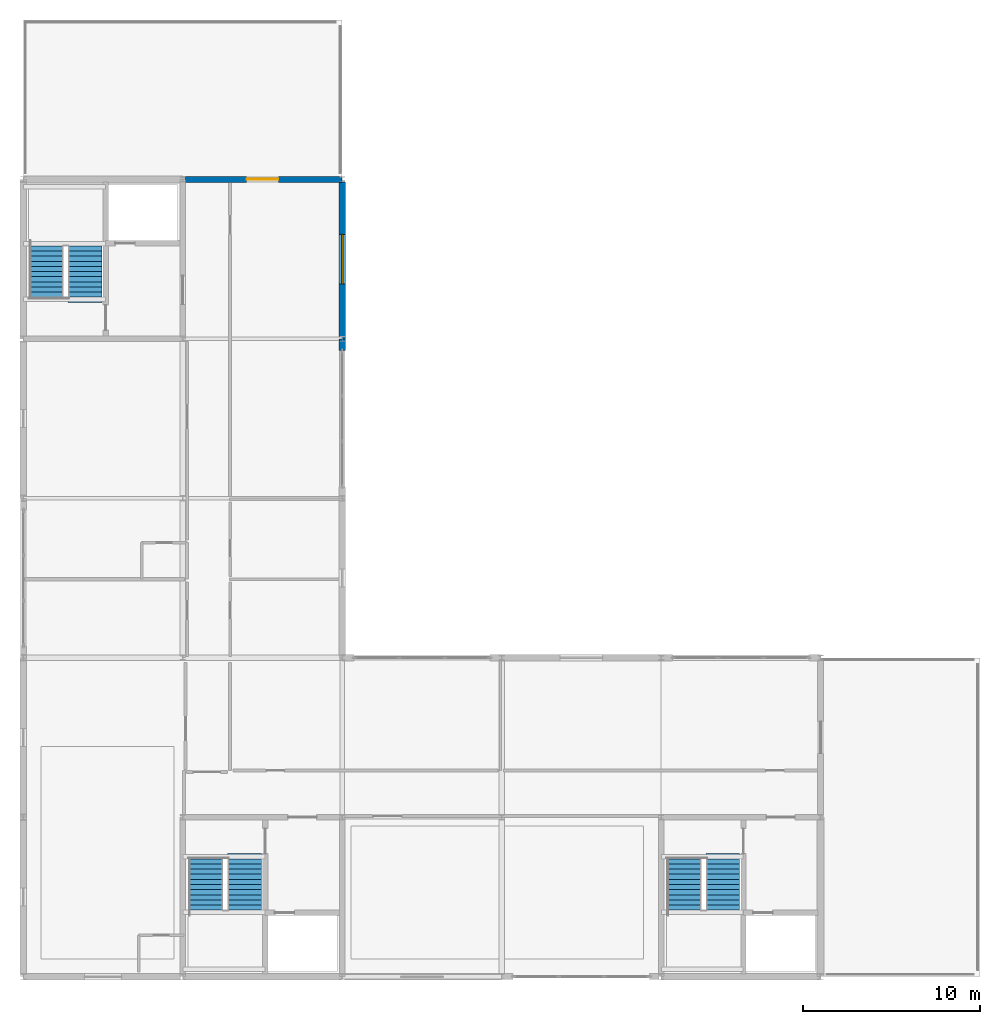
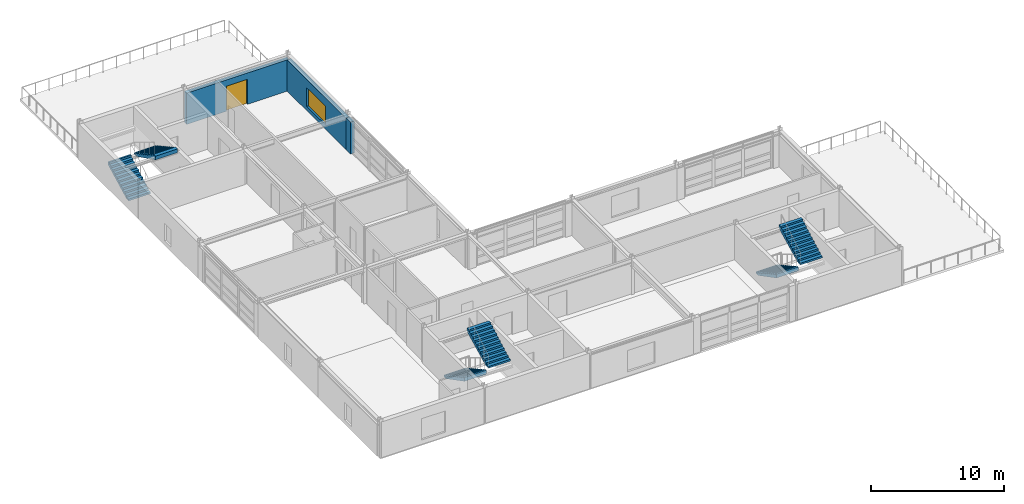
# One storey, part 10 of 11: 6 stair flights, 3 walls, 1 door, 1 window, 2 openings, 3 elements without a shape of their own.
"""IFC4 building model written with IfcOpenShell, lengths in metres."""

from ifc_helpers import new_model, si_unit, direction, frame, frame_2d, origin, place, context, subcontext, project, spatial, polyline, rectangle, outline, extrude, material, layer, layer_set, type_object, element, fill, aggregate, save


model = new_model("IFC4")

# Units and contexts
model_context = context("Model", 3, precision=1e-05, world=origin(), true_north=direction((0.0, 1.0)))
body_context = subcontext(model_context, "Body", "Model", "MODEL_VIEW")
ifc_project = project(units=[si_unit("LENGTHUNIT", "METRE"), si_unit("AREAUNIT", "SQUARE_METRE"), si_unit("VOLUMEUNIT", "CUBIC_METRE"), si_unit("PLANEANGLEUNIT", "RADIAN"), si_unit("MASSUNIT", "GRAM", prefix="KILO")], contexts=[model_context])

# Site, building, storey
site_placement = place(None, origin())
site = spatial("IfcSite", under=ifc_project, at=site_placement, CompositionType="ELEMENT")
building_placement = place(site_placement, origin())
building = spatial("IfcBuilding", under=site, at=building_placement, Name="Palais des Congres Ocreval", CompositionType="ELEMENT")
storey_placement = place(building_placement, frame((0.0, 0.0, 26.8798828125)))
storey = spatial("IfcBuildingStorey", under=building, at=storey_placement, Name="L08", CompositionType="ELEMENT", Elevation=26.8798828125)

# Wall, opening, door
ifc_material_1 = material(Name="Concrete C40/50", Category="concrete")
ifc_layer = layer(ifc_material_1, 0.340087890625)
ifc_layer_set = layer_set([ifc_layer], Name="Ochre Mineral-Lime Courtyard Wall 340 Concrete C40/50")
wall_type = type_object("IfcWallType", Name="Ochre Mineral-Lime Courtyard Wall 340 Concrete C40/50", PredefinedType="SOLIDWALL", material=ifc_layer_set)
wall_1_placement = place(storey_placement, frame((9.1298828125, 45.0, 0.0), z_axis=(0.0, 0.0, 1.0), x_axis=(1.0, 0.0, 0.0)))
wall_1 = element("IfcWall", 1, at=wall_1_placement, inside=storey, type_object=wall_type, Name="Exterior Wall EW04 L08", PredefinedType="SOLIDWALL", context=body_context, shape_type="SweptSolid", body=[
    extrude(rectangle(XDim=8.8701171875, YDim=0.340087890625, at=frame_2d((4.43505859375, 0.0))), origin(), (0.0, 0.0, 1.0), 2.8701171875),
])
opening_1_placement = place(wall_1_placement, frame((3.469970703125, 0.0, 0.0)))
opening_1 = element("IfcOpeningElement", 2, at=opening_1_placement, cuts=wall_1, Name="Opening TD01", PredefinedType="OPENING", context=body_context, shape_type="SweptSolid", body=[
    extrude(rectangle(XDim=1.800048828125, YDim=2.300048828125, at=frame_2d((0.89990234375, 1.14990234375))), frame((0.0, 0.179931640625, 0.0), z_axis=(0.0, -1.0, 0.0), x_axis=(1.0, 0.0, 0.0)), (0.0, 0.0, 1.0), 0.360107421875),
])
ifc_material_2 = material(Name="Anodized bronze aluminium and safety glass", Category="aluminium")
door_type = type_object("IfcDoorType", Name="Glazed Terrace Double Door 1800x2300", OperationType="NOTDEFINED", PredefinedType="DOOR", material=ifc_material_2)
door_placement = place(opening_1_placement, origin())
door = element("IfcDoor", 3, at=door_placement, inside=storey, type_object=door_type, Name="Terrace Access Door Presidential Belvedere Terrace", OperationType="DOUBLE_DOOR_SINGLE_SWING", OverallHeight=2.300048828125, OverallWidth=1.800048828125, PredefinedType="DOOR", context=body_context, shape_type="SweptSolid", body=[
    extrude(rectangle(XDim=1.800048828125, YDim=2.300048828125, at=frame_2d((0.89990234375, 1.14990234375))), frame((0.0, 0.02490234375, 0.0), z_axis=(0.0, -1.0, 0.0), x_axis=(1.0, 0.0, 0.0)), (0.0, 0.0, 1.0), 0.050048828125),
])
fill(opening_1, door)

# Wall, opening, window
wall_2_placement = place(storey_placement, frame((18.0, 44.844970703125, 0.0), z_axis=(0.0, 0.0, 1.0), x_axis=(0.0, -1.0, 0.0)))
wall_2 = element("IfcWall", 4, at=wall_2_placement, inside=storey, type_object=wall_type, Name="Exterior Wall EW04 L08", PredefinedType="SOLIDWALL", context=body_context, shape_type="SweptSolid", body=[
    extrude(rectangle(XDim=8.844970703125, YDim=0.340087890625, at=frame_2d((4.42236328125, 0.0))), origin(), (0.0, 0.0, 1.0), 2.8701171875),
])
opening_2_placement = place(wall_2_placement, frame((2.945068359375, 0.0, 0.39990234375)))
opening_2 = element("IfcOpeningElement", 5, at=opening_2_placement, cuts=wall_2, Name="Opening WN14", PredefinedType="OPENING", context=body_context, shape_type="SweptSolid", body=[
    extrude(rectangle(XDim=2.800048828125, YDim=1.699951171875, at=frame_2d((1.39990234375, 0.85009765625))), frame((0.0, 0.179931640625, 0.0), z_axis=(0.0, -1.0, 0.0), x_axis=(1.0, 0.0, 0.0)), (0.0, 0.0, 1.0), 0.360107421875),
])
ifc_material_3 = material(Name="Anodized bronze aluminium and low-E glass", Category="glass")
window_type = type_object("IfcWindowType", Name="Boardroom Ribbon Window 2800x1700", PartitioningType="SINGLE_PANEL", PredefinedType="WINDOW", material=ifc_material_3)
window_placement = place(opening_2_placement, origin())
window = element("IfcWindow", 6, at=window_placement, inside=storey, type_object=window_type, Name="Facade Window WN14", OverallHeight=1.699951171875, OverallWidth=2.800048828125, PartitioningType="SINGLE_PANEL", PredefinedType="WINDOW", context=body_context, shape_type="SweptSolid", body=[
    extrude(rectangle(XDim=2.800048828125, YDim=1.699951171875, at=frame_2d((1.39990234375, 0.85009765625))), frame((0.0, 0.030029296875, 0.0), z_axis=(0.0, -1.0, 0.0), x_axis=(1.0, 0.0, 0.0)), (0.0, 0.0, 1.0), 0.06005859375),
])
fill(opening_2, window)

# Wall
wall_3_placement = place(storey_placement, frame((18.0, 36.0, 0.0), z_axis=(0.0, 0.0, 1.0), x_axis=(0.0, -1.0, 0.0)))
element("IfcWall", 7, at=wall_3_placement, inside=storey, type_object=wall_type, Name="Facade Pier EW04 L08", PredefinedType="SOLIDWALL", context=body_context, shape_type="SweptSolid", body=[
    extrude(rectangle(XDim=0.64990234375, YDim=0.340087890625, at=frame_2d((0.324951171875, 0.0))), origin(), (0.0, 0.0, 1.0), 2.91015625),
])

# Stair, stair flights
stair_type = type_object("IfcStairType", Name="Crown Core Stair L08 1900 Concrete C40/50", PredefinedType="HALF_TURN_STAIR", material=ifc_material_1)
stair_1_placement = place(storey_placement, origin())
stair_1 = element("IfcStair", 8, at=stair_1_placement, inside=storey, type_object=stair_type, Name="Protected Core Stair ST01 L08", PredefinedType="HALF_TURN_STAIR")
stair_flight_type = type_object("IfcStairFlightType", Name="Core Stair Flight 14R x 160/290 W1900 Concrete C40/50", PredefinedType="STRAIGHT", material=ifc_material_1)
stair_flight_1_placement = place(storey_placement, frame((10.320068359375, 6.64990234375, 0.0), z_axis=(0.0, 0.0, 1.0), x_axis=(0.0, -1.0, 0.0)))
stair_flight_1 = element("IfcStairFlight", 9, at=stair_flight_1_placement, type_object=stair_flight_type, Name="Stair ST01 L08 Flight 1", NumberOfRisers=11, NumberOfTreads=10, PredefinedType="STRAIGHT", RiserHeight=0.16, TreadLength=0.29, context=body_context, shape_type="SweptSolid", body=[
    extrude(outline(polyline([(-0.006103515625, 0.0), (-0.006103515625, 0.080078125), (0.0, 0.159912109375), (0.2900390625, 0.159912109375), (0.2900390625, 0.320068359375), (0.580078125, 0.320068359375), (0.580078125, 0.47998046875), (0.8701171875, 0.47998046875), (0.8701171875, 0.639892578125), (1.159912109375, 0.639892578125), (1.159912109375, 0.800048828125), (1.449951171875, 0.800048828125), (1.449951171875, 0.9599609375), (1.739990234375, 0.9599609375), (1.739990234375, 1.1201171875), (2.030029296875, 1.1201171875), (2.030029296875, 1.280029296875), (2.320068359375, 1.280029296875), (2.320068359375, 1.43994140625), (2.610107421875, 1.43994140625), (2.610107421875, 1.60009765625), (2.89990234375, 1.60009765625), (2.89990234375, 1.760009765625), (3.06005859375, 1.760009765625), (3.06005859375, 1.41748046875), (0.3310546875, 0.0), (-0.006103515625, 0.0)])), frame((0.0, 0.949951171875, 0.0), z_axis=(0.0, -1.0, 0.0), x_axis=(1.0, 0.0, 0.0)), (0.0, 0.0, 1.0), 1.89990234375),
])
stair_flight_2_placement = place(storey_placement, frame((12.47998046875, 3.75, 1.760009765625), z_axis=(0.0, 0.0, 1.0), x_axis=(0.0, 1.0, 0.0)))
stair_flight_2 = element("IfcStairFlight", 10, at=stair_flight_2_placement, type_object=stair_flight_type, Name="Stair ST01 L08 Flight 2", NumberOfRisers=11, NumberOfTreads=10, PredefinedType="STRAIGHT", RiserHeight=0.16, TreadLength=0.29, context=body_context, shape_type="SweptSolid", body=[
    extrude(outline(polyline([(-0.006103515625, 0.0), (-0.006103515625, 0.080078125), (0.0, 0.159912109375), (0.2900390625, 0.159912109375), (0.2900390625, 0.320068359375), (0.580078125, 0.320068359375), (0.580078125, 0.47998046875), (0.8701171875, 0.47998046875), (0.8701171875, 0.639892578125), (1.159912109375, 0.639892578125), (1.159912109375, 0.800048828125), (1.449951171875, 0.800048828125), (1.449951171875, 0.9599609375), (1.739990234375, 0.9599609375), (1.739990234375, 1.1201171875), (2.030029296875, 1.1201171875), (2.030029296875, 1.280029296875), (2.320068359375, 1.280029296875), (2.320068359375, 1.43994140625), (2.610107421875, 1.43994140625), (2.610107421875, 1.60009765625), (2.89990234375, 1.60009765625), (2.89990234375, 1.760009765625), (3.18994140625, 1.760009765625), (3.18994140625, 1.41748046875), (0.3310546875, 0.0), (-0.006103515625, 0.0)])), frame((0.0, 0.949951171875, 0.0), z_axis=(0.0, -1.0, 0.0), x_axis=(1.0, 0.0, 0.0)), (0.0, 0.0, 1.0), 1.89990234375),
])
aggregate(stair_1, [stair_flight_1, stair_flight_2])

stair_2_placement = place(storey_placement, origin())
stair_2 = element("IfcStair", 11, at=stair_2_placement, inside=storey, type_object=stair_type, Name="Protected Core Stair ST02 L08", PredefinedType="HALF_TURN_STAIR")
stair_flight_3_placement = place(storey_placement, frame((37.320068359375, 6.64990234375, 0.0), z_axis=(0.0, 0.0, 1.0), x_axis=(0.0, -1.0, 0.0)))
stair_flight_3 = element("IfcStairFlight", 12, at=stair_flight_3_placement, type_object=stair_flight_type, Name="Stair ST02 L08 Flight 1", NumberOfRisers=11, NumberOfTreads=10, PredefinedType="STRAIGHT", RiserHeight=0.16, TreadLength=0.29, context=body_context, shape_type="SweptSolid", body=[
    extrude(outline(polyline([(-0.006103515625, 0.0), (-0.006103515625, 0.080078125), (0.0, 0.159912109375), (0.2900390625, 0.159912109375), (0.2900390625, 0.320068359375), (0.580078125, 0.320068359375), (0.580078125, 0.47998046875), (0.8701171875, 0.47998046875), (0.8701171875, 0.639892578125), (1.159912109375, 0.639892578125), (1.159912109375, 0.800048828125), (1.449951171875, 0.800048828125), (1.449951171875, 0.9599609375), (1.739990234375, 0.9599609375), (1.739990234375, 1.1201171875), (2.030029296875, 1.1201171875), (2.030029296875, 1.280029296875), (2.320068359375, 1.280029296875), (2.320068359375, 1.43994140625), (2.610107421875, 1.43994140625), (2.610107421875, 1.60009765625), (2.89990234375, 1.60009765625), (2.89990234375, 1.760009765625), (3.06005859375, 1.760009765625), (3.06005859375, 1.41748046875), (0.3310546875, 0.0), (-0.006103515625, 0.0)])), frame((0.0, 0.949951171875, 0.0), z_axis=(0.0, -1.0, 0.0), x_axis=(1.0, 0.0, 0.0)), (0.0, 0.0, 1.0), 1.89990234375),
])
stair_flight_4_placement = place(storey_placement, frame((39.47998046875, 3.75, 1.760009765625), z_axis=(0.0, 0.0, 1.0), x_axis=(0.0, 1.0, 0.0)))
stair_flight_4 = element("IfcStairFlight", 13, at=stair_flight_4_placement, type_object=stair_flight_type, Name="Stair ST02 L08 Flight 2", NumberOfRisers=11, NumberOfTreads=10, PredefinedType="STRAIGHT", RiserHeight=0.16, TreadLength=0.29, context=body_context, shape_type="SweptSolid", body=[
    extrude(outline(polyline([(-0.006103515625, 0.0), (-0.006103515625, 0.080078125), (0.0, 0.159912109375), (0.2900390625, 0.159912109375), (0.2900390625, 0.320068359375), (0.580078125, 0.320068359375), (0.580078125, 0.47998046875), (0.8701171875, 0.47998046875), (0.8701171875, 0.639892578125), (1.159912109375, 0.639892578125), (1.159912109375, 0.800048828125), (1.449951171875, 0.800048828125), (1.449951171875, 0.9599609375), (1.739990234375, 0.9599609375), (1.739990234375, 1.1201171875), (2.030029296875, 1.1201171875), (2.030029296875, 1.280029296875), (2.320068359375, 1.280029296875), (2.320068359375, 1.43994140625), (2.610107421875, 1.43994140625), (2.610107421875, 1.60009765625), (2.89990234375, 1.60009765625), (2.89990234375, 1.760009765625), (3.18994140625, 1.760009765625), (3.18994140625, 1.41748046875), (0.3310546875, 0.0), (-0.006103515625, 0.0)])), frame((0.0, 0.949951171875, 0.0), z_axis=(0.0, -1.0, 0.0), x_axis=(1.0, 0.0, 0.0)), (0.0, 0.0, 1.0), 1.89990234375),
])
aggregate(stair_2, [stair_flight_3, stair_flight_4])

stair_3_placement = place(storey_placement, origin())
stair_3 = element("IfcStair", 14, at=stair_3_placement, inside=storey, type_object=stair_type, Name="Protected Core Stair ST03 L08", PredefinedType="HALF_TURN_STAIR")
stair_flight_5_placement = place(storey_placement, frame((1.320068359375, 38.35009765625, 0.0), z_axis=(0.0, 0.0, 1.0), x_axis=(0.0, 1.0, 0.0)))
stair_flight_5 = element("IfcStairFlight", 15, at=stair_flight_5_placement, type_object=stair_flight_type, Name="Stair ST03 L08 Flight 1", NumberOfRisers=11, NumberOfTreads=10, PredefinedType="STRAIGHT", RiserHeight=0.16, TreadLength=0.29, context=body_context, shape_type="SweptSolid", body=[
    extrude(outline(polyline([(-0.006103515625, 0.0), (-0.006103515625, 0.080078125), (0.0, 0.159912109375), (0.2900390625, 0.159912109375), (0.2900390625, 0.320068359375), (0.580078125, 0.320068359375), (0.580078125, 0.47998046875), (0.8701171875, 0.47998046875), (0.8701171875, 0.639892578125), (1.159912109375, 0.639892578125), (1.159912109375, 0.800048828125), (1.449951171875, 0.800048828125), (1.449951171875, 0.9599609375), (1.739990234375, 0.9599609375), (1.739990234375, 1.1201171875), (2.030029296875, 1.1201171875), (2.030029296875, 1.280029296875), (2.320068359375, 1.280029296875), (2.320068359375, 1.43994140625), (2.610107421875, 1.43994140625), (2.610107421875, 1.60009765625), (2.89990234375, 1.60009765625), (2.89990234375, 1.760009765625), (3.06005859375, 1.760009765625), (3.06005859375, 1.41748046875), (0.3310546875, 0.0), (-0.006103515625, 0.0)])), frame((0.0, 0.949951171875, 0.0), z_axis=(0.0, -1.0, 0.0), x_axis=(1.0, 0.0, 0.0)), (0.0, 0.0, 1.0), 1.89990234375),
])
stair_flight_6_placement = place(storey_placement, frame((3.47998046875, 41.25, 1.760009765625), z_axis=(0.0, 0.0, 1.0), x_axis=(0.0, -1.0, 0.0)))
stair_flight_6 = element("IfcStairFlight", 16, at=stair_flight_6_placement, type_object=stair_flight_type, Name="Stair ST03 L08 Flight 2", NumberOfRisers=11, NumberOfTreads=10, PredefinedType="STRAIGHT", RiserHeight=0.16, TreadLength=0.29, context=body_context, shape_type="SweptSolid", body=[
    extrude(outline(polyline([(-0.006103515625, 0.0), (-0.006103515625, 0.080078125), (0.0, 0.159912109375), (0.2900390625, 0.159912109375), (0.2900390625, 0.320068359375), (0.580078125, 0.320068359375), (0.580078125, 0.47998046875), (0.8701171875, 0.47998046875), (0.8701171875, 0.639892578125), (1.159912109375, 0.639892578125), (1.159912109375, 0.800048828125), (1.449951171875, 0.800048828125), (1.449951171875, 0.9599609375), (1.739990234375, 0.9599609375), (1.739990234375, 1.1201171875), (2.030029296875, 1.1201171875), (2.030029296875, 1.280029296875), (2.320068359375, 1.280029296875), (2.320068359375, 1.43994140625), (2.610107421875, 1.43994140625), (2.610107421875, 1.60009765625), (2.89990234375, 1.60009765625), (2.89990234375, 1.760009765625), (3.18994140625, 1.760009765625), (3.18994140625, 1.41748046875), (0.3310546875, 0.0), (-0.006103515625, 0.0)])), frame((0.0, 0.949951171875, 0.0), z_axis=(0.0, -1.0, 0.0), x_axis=(1.0, 0.0, 0.0)), (0.0, 0.0, 1.0), 1.89990234375),
])
aggregate(stair_3, [stair_flight_5, stair_flight_6])

save(model, "model.ifc")
